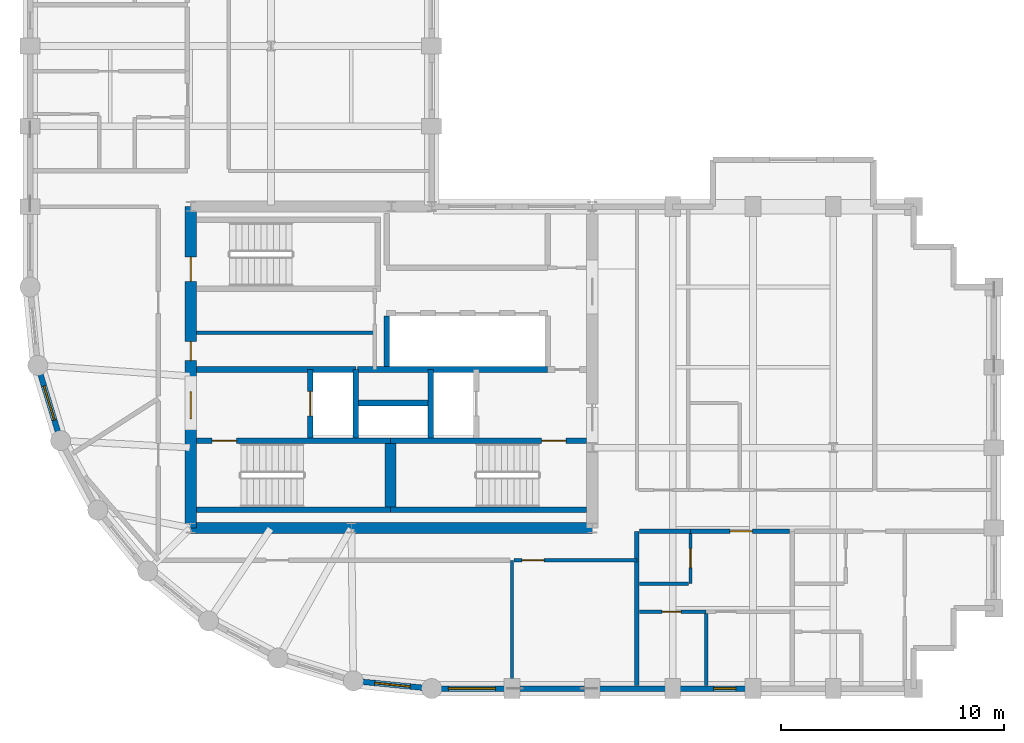
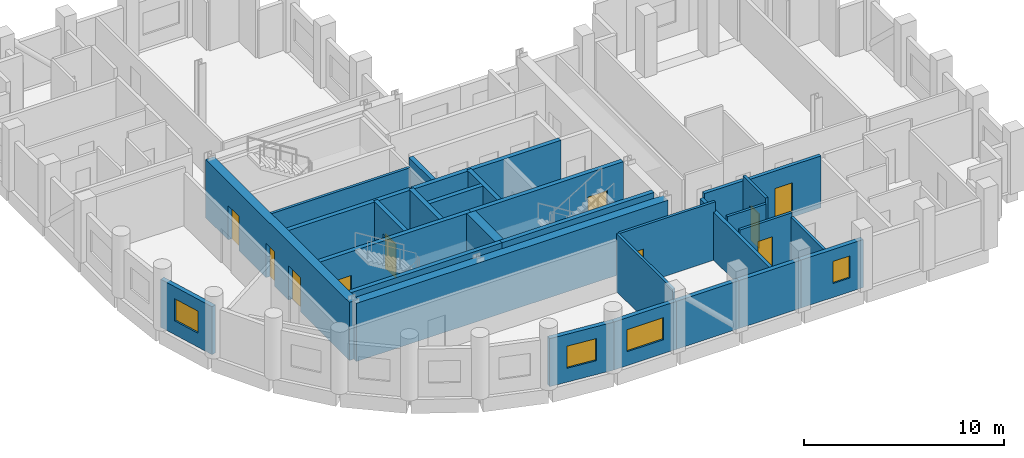
# One storey, part 3 of 8: 30 walls, 10 doors, 4 windows, 14 openings.
"""IFC4 building model written with IfcOpenShell, lengths in metres."""

import ifcopenshell
import ifcopenshell.guid

model = None  # the IFC model being written
_history = None  # IfcOwnerHistory: only IFC2X3 demands one
_inside = {}  # id of a spatial element -> (the spatial element, [elements in it])
_under = {}  # id of a project, library or spatial element -> (it, [spatial elements below it])
_declared = {}  # id of a project -> (the project, [libraries it declares])
_typed = {}  # id of a type object -> (the type object, [elements of that type])
_made_of = {}  # id of a material, layer set ... -> (it, [elements and type objects made of it])


def new_model(schema):
    """Start an empty IFC model of exactly this schema.

    Asked for "IFC4X3", IfcOpenShell would pick the latest addendum, in which some entities
    have other attributes; the version numbers below select the first issue.
    IFC2X3 requires an IfcOwnerHistory on every rooted entity: one is made here for all.
    """
    global model, _history
    if schema == "IFC4X3":
        model = ifcopenshell.file(schema_version=(4, 3, 0, 0))
    else:
        model = ifcopenshell.file(schema=schema)
    _inside.clear()
    _under.clear()
    _declared.clear()
    _typed.clear()
    _made_of.clear()
    _history = None
    if model.schema == "IFC2X3":
        org = make("IfcOrganization", Name="unknown")
        user = make(
            "IfcPersonAndOrganization",
            ThePerson=make("IfcPerson", FamilyName="unknown"),
            TheOrganization=org,
        )
        app = make(
            "IfcApplication",
            ApplicationDeveloper=org,
            Version="unknown",
            ApplicationFullName="unknown",
            ApplicationIdentifier="unknown",
        )
        _history = make(
            "IfcOwnerHistory",
            OwningUser=user,
            OwningApplication=app,
            ChangeAction="ADDED",
            CreationDate=0,
        )
    return model


def make(cls, **values):
    """One entity of the class cls with the attributes given. An attribute that is None is left unset."""
    return model.create_entity(
        cls, **{name: value for name, value in values.items() if value is not None}
    )


def rooted(cls, **values):
    """An entity with a GlobalId (a new one), such as an element, a storey or a relation."""
    return make(cls, GlobalId=ifcopenshell.guid.new(), OwnerHistory=_history, **values)


def si_unit(unit_type, name, prefix=None):
    """IfcSIUnit, for example si_unit("LENGTHUNIT", "METRE", prefix="MILLI")."""
    return make("IfcSIUnit", UnitType=unit_type, Prefix=prefix, Name=name)


def assignment(units):
    """IfcUnitAssignment: the units of a project."""
    return None if units is None else make("IfcUnitAssignment", Units=units)


def point(xyz):
    """IfcCartesianPoint."""
    return None if xyz is None else make("IfcCartesianPoint", Coordinates=xyz)


def direction(xyz):
    """IfcDirection."""
    return None if xyz is None else make("IfcDirection", DirectionRatios=xyz)


def frame(location, z_axis=None, x_axis=None):
    """IfcAxis2Placement3D, a coordinate frame: its origin and axes. An axis left out is left unset."""
    return make(
        "IfcAxis2Placement3D",
        Location=point(location),
        Axis=direction(z_axis),
        RefDirection=direction(x_axis),
    )


def frame_2d(location, x_axis=None):
    """IfcAxis2Placement2D, a coordinate frame in the plane: its origin and x axis."""
    return make(
        "IfcAxis2Placement2D", Location=point(location), RefDirection=direction(x_axis)
    )


def origin():
    """The frame at (0, 0, 0) with its axes left unset."""
    return frame((0.0, 0.0, 0.0))


def place(relative_to, where):
    """IfcLocalPlacement: puts the frame where relative to a parent placement (None: the world)."""
    return make(
        "IfcLocalPlacement", PlacementRelTo=relative_to, RelativePlacement=where
    )


def context(
    kind, dimensions, precision=None, world=None, true_north=None, identifier=None
):
    """IfcGeometricRepresentationContext, for example the 3D "Model" context."""
    return make(
        "IfcGeometricRepresentationContext",
        ContextIdentifier=identifier,
        ContextType=kind,
        CoordinateSpaceDimension=dimensions,
        Precision=precision,
        WorldCoordinateSystem=world,
        TrueNorth=true_north,
    )


def subcontext(parent, identifier, kind, view, scale=None):
    """IfcGeometricRepresentationSubContext, for example "Body" below "Model"."""
    return make(
        "IfcGeometricRepresentationSubContext",
        ContextIdentifier=identifier,
        ContextType=kind,
        ParentContext=parent,
        TargetScale=scale,
        TargetView=view,
    )


def project(units=None, contexts=None):
    """IfcProject with its units and contexts."""
    return rooted(
        "IfcProject",
        Name="project",
        RepresentationContexts=contexts,
        UnitsInContext=assignment(units),
    )


def spatial(cls, under=None, at=None, **own):
    """A site, building, storey or space (cls), placed at a placement, below another one or the project."""
    s = rooted(cls, ObjectPlacement=at, **own)
    if under is not None:
        _under.setdefault(under.id(), (under, []))[1].append(s)
    return s


def profile(cls, at=None, kind="AREA", **sizes):
    """A parametric profile (cls). Its sizes go by their IFC names, for example OverallWidth=200.0."""
    return make(cls, ProfileType=kind, Position=at, **sizes)


def rectangle(**sizes):
    """IfcRectangleProfileDef."""
    return profile("IfcRectangleProfileDef", **sizes)


def extrude(swept, where, along, depth):
    """IfcExtrudedAreaSolid: the profile swept, set in the frame where, extruded along a direction by depth."""
    return make(
        "IfcExtrudedAreaSolid",
        SweptArea=swept,
        Position=where,
        ExtrudedDirection=direction(along),
        Depth=depth,
    )


def shape(context_of_items, identifier, shape_type, items):
    """IfcShapeRepresentation: the items that make up one representation, for example the "Body"."""
    return make(
        "IfcShapeRepresentation",
        ContextOfItems=context_of_items,
        RepresentationIdentifier=identifier,
        RepresentationType=shape_type,
        Items=items,
    )


def material(Name=None, Category=None):
    """IfcMaterial."""
    return make("IfcMaterial", Name=Name, Category=Category)


def layer(
    of_material, thickness, ventilated=None, Name=None, Category=None, Priority=None
):
    """IfcMaterialLayer: one layer of a wall or slab, of a material (None: an air gap)."""
    return make(
        "IfcMaterialLayer",
        Material=of_material,
        LayerThickness=thickness,
        IsVentilated=ventilated,
        Name=Name,
        Category=Category,
        Priority=Priority,
    )


def layer_set(layers, Name=None):
    """IfcMaterialLayerSet."""
    return make("IfcMaterialLayerSet", MaterialLayers=layers, LayerSetName=Name)


def made_of(thing, what):
    """Note that an element or type object is made of a material, layer set ...; save() writes the relation."""
    if what is not None:
        _made_of.setdefault(what.id(), (what, []))[1].append(thing)
    return thing


def type_object(cls, material=None, **own):
    """A type object (cls), such as IfcWallType, which elements share."""
    return made_of(rooted(cls, **own), material)


def element(
    cls,
    number,
    at=None,
    inside=None,
    cuts=None,
    type_object=None,
    material=None,
    context=None,
    identifier="Body",
    shape_type=None,
    held_by="IfcProductDefinitionShape",
    body=None,
    shapes=None,
    **own,
):
    """One element of the class cls, such as IfcWall. Its Tag is "e" and its number.

    at: its placement. inside: the storey or other place that contains it. cuts: it is an
    opening in that element (IfcRelVoidsElement). A single representation is given by context,
    identifier, shape_type and body (its items); several are given by shapes. held_by: the class
    of the entity that holds the representations. save() writes the other relations.
    """
    e = rooted(cls, Tag="e%d" % number, ObjectPlacement=at, **own)
    if body is not None:
        shapes = [shape(context, identifier, shape_type, body)]
    if shapes is not None:
        e.Representation = make(held_by, Representations=shapes)
    if inside is not None:
        _inside.setdefault(inside.id(), (inside, []))[1].append(e)
    if cuts is not None:
        rooted(
            "IfcRelVoidsElement", RelatingBuildingElement=cuts, RelatedOpeningElement=e
        )
    if type_object is not None:
        _typed.setdefault(type_object.id(), (type_object, []))[1].append(e)
    return made_of(e, material)


def fill(opening, filler):
    """IfcRelFillsElement: the door or window that sits in an opening."""
    return rooted(
        "IfcRelFillsElement",
        RelatingOpeningElement=opening,
        RelatedBuildingElement=filler,
    )


def aggregate(whole, parts):
    """IfcRelAggregates: a whole, such as a stair, and the parts it consists of."""
    return rooted("IfcRelAggregates", RelatingObject=whole, RelatedObjects=parts)


def save(model, path):
    """Write the relations noted so far, then the file.

    IfcRelAggregates (storeys below a building ...), IfcRelContainedInSpatialStructure (elements
    in a storey), IfcRelDefinesByType, IfcRelAssociatesMaterial and IfcRelDeclares: one each for
    every whole, place, type object, material and project.
    """
    for whole, parts in _under.values():
        aggregate(whole, parts)
    for where, things in _inside.values():
        rooted(
            "IfcRelContainedInSpatialStructure",
            RelatedElements=things,
            RelatingStructure=where,
        )
    for kind, things in _typed.values():
        rooted("IfcRelDefinesByType", RelatedObjects=things, RelatingType=kind)
    for what, things in _made_of.values():
        rooted("IfcRelAssociatesMaterial", RelatedObjects=things, RelatingMaterial=what)
    for by, libraries in _declared.values():
        rooted("IfcRelDeclares", RelatingContext=by, RelatedDefinitions=libraries)
    model.write(path)


model = new_model("IFC4")

# Units and contexts
model_context = context("Model", 3, precision=1e-05, world=origin(), true_north=direction((0.0, 1.0)))
body_context = subcontext(model_context, "Body", "Model", "MODEL_VIEW")
ifc_project = project(units=[si_unit("LENGTHUNIT", "METRE"), si_unit("AREAUNIT", "SQUARE_METRE"), si_unit("VOLUMEUNIT", "CUBIC_METRE"), si_unit("PLANEANGLEUNIT", "RADIAN"), si_unit("MASSUNIT", "GRAM", prefix="KILO")], contexts=[model_context])

# Site, building, storey
site_placement = place(None, origin())
site = spatial("IfcSite", under=ifc_project, at=site_placement, CompositionType="ELEMENT")
building_placement = place(site_placement, origin())
building = spatial("IfcBuilding", under=site, at=building_placement, Name="Solnavia Interchange Tower", CompositionType="ELEMENT")
storey_placement = place(building_placement, frame((0.0, 0.0, 186.199951171875)))
storey = spatial("IfcBuildingStorey", under=building, at=storey_placement, Name="L46", CompositionType="ELEMENT", Elevation=186.199951171875)

# Walls
ifc_material_1 = material(Name="Gypsum Acoustic Twin-Stud & Mineral Wool", Category="gypsum")
ifc_layer_1 = layer(ifc_material_1, 0.199951171875)
ifc_layer_set_1 = layer_set([ifc_layer_1], Name="Gypsum Acoustic Twin-Stud & Mineral Wool")
wall_type_1 = type_object("IfcWallType", Name="Wall-ApartmentParty-200", PredefinedType="PARTITIONING", material=ifc_layer_set_1)
wall_1_placement = place(storey_placement, frame((34.39990234375, 3.72900390625, 0.0), z_axis=(0.0, 0.0, 1.0), x_axis=(0.0, 1.0, 0.0)))
element("IfcWall", 1, at=wall_1_placement, inside=storey, type_object=wall_type_1, Name="PTW-L46-15 Interior partition wall", PredefinedType="PARTITIONING", context=body_context, shape_type="SweptSolid", body=[
    extrude(rectangle(XDim=6.9208984375, YDim=0.199951171875, at=frame_2d((3.46044921875, 0.0))), origin(), (0.0, 0.0, 1.0), 2.929931640625),
])
wall_2_placement = place(storey_placement, frame((34.50390625, 10.64990234375, 0.0), z_axis=(0.0, 0.0, 1.0), x_axis=(1.0, 0.0, 0.0)))
element("IfcWall", 2, at=wall_2_placement, inside=storey, type_object=wall_type_1, Name="PTW-L46-17 Interior partition wall", PredefinedType="PARTITIONING", context=body_context, shape_type="SweptSolid", body=[
    extrude(rectangle(XDim=2.296142578125, YDim=0.199951171875, at=frame_2d((1.14794921875, 0.0))), origin(), (0.0, 0.0, 1.0), 3.219970703125),
])

# Wall, opening, door
wall_3_placement = place(storey_placement, frame((36.800048828125, 10.64990234375, 0.0), z_axis=(0.0, 0.0, 1.0), x_axis=(1.0, 0.0, 0.0)))
wall_3 = element("IfcWall", 3, at=wall_3_placement, inside=storey, type_object=wall_type_1, Name="PTW-L46-20 Interior partition wall", PredefinedType="PARTITIONING", context=body_context, shape_type="SweptSolid", body=[
    extrude(rectangle(XDim=4.446044921875, YDim=0.199951171875, at=frame_2d((2.22314453125, 0.0))), origin(), (0.0, 0.0, 1.0), 3.170166015625),
])
opening_1_placement = place(wall_3_placement, frame((1.77490234375, 0.0, 0.0)))
opening_1 = element("IfcOpeningElement", 4, at=opening_1_placement, cuts=wall_3, Name="Opening DR-06", PredefinedType="OPENING", context=body_context, shape_type="SweptSolid", body=[
    extrude(rectangle(XDim=1.0, YDim=2.10009765625, at=frame_2d((0.5, 1.050048828125))), frame((0.0, 0.10986328125, 0.0), z_axis=(0.0, -1.0, 0.0), x_axis=(1.0, 0.0, 0.0)), (0.0, 0.0, 1.0), 0.219970703125),
])
ifc_material_2 = material(Name="Engineered Timber Acoustic Fire Door", Category="wood")
door_type_1 = type_object("IfcDoorType", Name="Door-FlatEntry-1000x2100", OperationType="SINGLE_SWING_LEFT", PredefinedType="DOOR", material=ifc_material_2)
door_1_placement = place(opening_1_placement, origin())
door_1 = element("IfcDoor", 5, at=door_1_placement, inside=storey, type_object=door_type_1, Name="DR-L46-08 Interior room door", OperationType="SINGLE_SWING_LEFT", OverallHeight=2.10009765625, OverallWidth=1.0, PredefinedType="DOOR", context=body_context, shape_type="SweptSolid", body=[
    extrude(rectangle(XDim=1.0, YDim=2.10009765625, at=frame_2d((0.5, 1.050048828125))), frame((0.0, 0.02490234375, 0.0), z_axis=(0.0, -1.0, 0.0), x_axis=(1.0, 0.0, 0.0)), (0.0, 0.0, 1.0), 0.050048828125),
])
fill(opening_1, door_1)

# Wall, opening, window
ifc_material_3 = material(Name="Concrete C40/50", Category="concrete")
ifc_layer_2 = layer(ifc_material_3, 0.25)
ifc_layer_set_2 = layer_set([ifc_layer_2], Name="Concrete C40/50")
wall_type_2 = type_object("IfcWallType", Name="Wall-ExtSpandrel-250", PredefinedType="STANDARD", material=ifc_layer_set_2)
wall_4_placement = place(storey_placement, frame((28.800048828125, 3.60009765625, 0.0), z_axis=(0.0, 0.0, 1.0), x_axis=(-1.0, 0.0, 0.0)))
wall_4 = element("IfcWall", 6, at=wall_4_placement, inside=storey, type_object=wall_type_2, Name="EXW-L46-01 Exterior precast spandrel wall", PredefinedType="STANDARD", context=body_context, shape_type="SweptSolid", body=[
    extrude(rectangle(XDim=3.60009765625, YDim=0.25, at=frame_2d((1.800048828125, 0.0))), origin(), (0.0, 0.0, 1.0), 2.929931640625),
])
opening_2_placement = place(wall_4_placement, frame((0.75, 0.0, 0.85009765625)))
opening_2 = element("IfcOpeningElement", 7, at=opening_2_placement, cuts=wall_4, Name="Opening WIN-01", PredefinedType="OPENING", context=body_context, shape_type="SweptSolid", body=[
    extrude(rectangle(XDim=2.10009765625, YDim=1.35009765625, at=frame_2d((1.050048828125, 0.675048828125))), frame((0.0, 0.135009765625, 0.0), z_axis=(0.0, -1.0, 0.0), x_axis=(1.0, 0.0, 0.0)), (0.0, 0.0, 1.0), 0.27001953125),
])
ifc_material_4 = material(Name="Thermal-Break Aluminium & Low-E Glass", Category="aluminium")
window_type_1 = type_object("IfcWindowType", Name="Window-Ribbon-2100x1350", PartitioningType="SINGLE_PANEL", PredefinedType="WINDOW", material=ifc_material_4)
window_1_placement = place(opening_2_placement, origin())
window_1 = element("IfcWindow", 8, at=window_1_placement, inside=storey, type_object=window_type_1, Name="WIN-L46-01 Facade ribbon window", OverallHeight=1.35009765625, OverallWidth=2.10009765625, PartitioningType="SINGLE_PANEL", PredefinedType="WINDOW", context=body_context, shape_type="SweptSolid", body=[
    extrude(rectangle(XDim=2.10009765625, YDim=1.35009765625, at=frame_2d((1.050048828125, 0.675048828125))), frame((0.0, 0.030029296875, 0.0), z_axis=(0.0, -1.0, 0.0), x_axis=(1.0, 0.0, 0.0)), (0.0, 0.0, 1.0), 0.06005859375),
])
fill(opening_2, window_1)

# Walls
wall_5_placement = place(storey_placement, frame((32.39990234375, 3.60009765625, 0.0), z_axis=(0.0, 0.0, 1.0), x_axis=(-1.0, 0.0, 0.0)))
element("IfcWall", 9, at=wall_5_placement, inside=storey, type_object=wall_type_2, Name="EXW-L46-02 Exterior precast spandrel wall", PredefinedType="STANDARD", context=body_context, shape_type="SweptSolid", body=[
    extrude(rectangle(XDim=3.599853515625, YDim=0.25, at=frame_2d((1.7998046875, 0.0))), origin(), (0.0, 0.0, 1.0), 2.929931640625),
])
wall_6_placement = place(storey_placement, frame((36.0, 3.60009765625, 0.0), z_axis=(0.0, 0.0, 1.0), x_axis=(-1.0, 0.0, 0.0)))
element("IfcWall", 10, at=wall_6_placement, inside=storey, type_object=wall_type_2, Name="EXW-L46-03 Exterior precast spandrel wall", PredefinedType="STANDARD", context=body_context, shape_type="SweptSolid", body=[
    extrude(rectangle(XDim=3.60009765625, YDim=0.25, at=frame_2d((1.800048828125, 0.0))), origin(), (0.0, 0.0, 1.0), 2.929931640625),
])

# Wall, opening, window
wall_7_placement = place(storey_placement, frame((39.60009765625, 3.60009765625, 0.0), z_axis=(0.0, 0.0, 1.0), x_axis=(-1.0, 0.0, 0.0)))
wall_7 = element("IfcWall", 11, at=wall_7_placement, inside=storey, type_object=wall_type_2, Name="EXW-L46-04 Exterior precast spandrel wall", PredefinedType="STANDARD", context=body_context, shape_type="SweptSolid", body=[
    extrude(rectangle(XDim=3.60009765625, YDim=0.25, at=frame_2d((1.800048828125, 0.0))), origin(), (0.0, 0.0, 1.0), 2.929931640625),
])
opening_3_placement = place(wall_7_placement, frame((0.76904296875, 0.0, 0.85009765625)))
opening_3 = element("IfcOpeningElement", 12, at=opening_3_placement, cuts=wall_7, Name="Opening WIN-07", PredefinedType="OPENING", context=body_context, shape_type="SweptSolid", body=[
    extrude(rectangle(XDim=1.0, YDim=1.35009765625, at=frame_2d((0.5, 0.675048828125))), frame((0.0, 0.135009765625, 0.0), z_axis=(0.0, -1.0, 0.0), x_axis=(1.0, 0.0, 0.0)), (0.0, 0.0, 1.0), 0.27001953125),
])
window_type_2 = type_object("IfcWindowType", Name="Window-Bedroom-1000x1350", PartitioningType="SINGLE_PANEL", PredefinedType="WINDOW", material=ifc_material_4)
window_2_placement = place(opening_3_placement, origin())
window_2 = element("IfcWindow", 13, at=window_2_placement, inside=storey, type_object=window_type_2, Name="WIN-L46-DW01 Dwelling bedroom window", OverallHeight=1.35009765625, OverallWidth=1.0, PartitioningType="SINGLE_PANEL", PredefinedType="WINDOW", context=body_context, shape_type="SweptSolid", body=[
    extrude(rectangle(XDim=1.0, YDim=1.35009765625, at=frame_2d((0.5, 0.675048828125))), frame((0.0, 0.030029296875, 0.0), z_axis=(0.0, -1.0, 0.0), x_axis=(1.0, 0.0, 0.0)), (0.0, 0.0, 1.0), 0.06005859375),
])
fill(opening_3, window_2)

wall_8_placement = place(storey_placement, frame((8.570068359375, 14.7119140625, 0.0), z_axis=(0.0, 0.0, 1.0), x_axis=(-0.290305086481, 0.956934144423, 0.0)))
wall_8 = element("IfcWall", 14, at=wall_8_placement, inside=storey, type_object=wall_type_2, Name="EXW-L46-48 Exterior precast spandrel wall", PredefinedType="STANDARD", context=body_context, shape_type="SweptSolid", body=[
    extrude(rectangle(XDim=3.52783203125, YDim=0.25, at=frame_2d((1.763916015625, 0.0))), origin(), (0.0, 0.0, 1.0), 2.929931640625),
])
opening_4_placement = place(wall_8_placement, frame((0.964111328125, 0.0, 0.85009765625)))
opening_4 = element("IfcOpeningElement", 15, at=opening_4_placement, cuts=wall_8, Name="Opening WIN-04", PredefinedType="OPENING", context=body_context, shape_type="SweptSolid", body=[
    extrude(rectangle(XDim=1.60009765625, YDim=1.35009765625, at=frame_2d((0.800048828125, 0.675048828125))), frame((0.0, 0.135009765625, 0.0), z_axis=(0.0, -1.0, 0.0), x_axis=(1.0, 0.0, 0.0)), (0.0, 0.0, 1.0), 0.27001953125),
])
window_type_3 = type_object("IfcWindowType", Name="Window-Drum-1600x1350", PartitioningType="SINGLE_PANEL", PredefinedType="WINDOW", material=ifc_material_4)
window_3_placement = place(opening_4_placement, origin())
window_3 = element("IfcWindow", 16, at=window_3_placement, inside=storey, type_object=window_type_3, Name="WIN-L46-48 Facade ribbon window", OverallHeight=1.35009765625, OverallWidth=1.60009765625, PartitioningType="SINGLE_PANEL", PredefinedType="WINDOW", context=body_context, shape_type="SweptSolid", body=[
    extrude(rectangle(XDim=1.60009765625, YDim=1.35009765625, at=frame_2d((0.800048828125, 0.675048828125))), frame((0.0, 0.030029296875, 0.0), z_axis=(0.0, -1.0, 0.0), x_axis=(1.0, 0.0, 0.0)), (0.0, 0.0, 1.0), 0.06005859375),
])
fill(opening_4, window_3)

wall_9_placement = place(storey_placement, frame((25.199951171875, 3.60009765625, 0.0), z_axis=(0.0, 0.0, 1.0), x_axis=(-0.995183369056, 0.098030923459, 0.0)))
wall_9 = element("IfcWall", 17, at=wall_9_placement, inside=storey, type_object=wall_type_2, Name="EXW-L46-54 Exterior precast spandrel wall", PredefinedType="STANDARD", context=body_context, shape_type="SweptSolid", body=[
    extrude(rectangle(XDim=3.529052734375, YDim=0.25, at=frame_2d((1.7646484375, 0.0))), origin(), (0.0, 0.0, 1.0), 2.929931640625),
])
opening_5_placement = place(wall_9_placement, frame((0.965087890625, 0.0, 0.85009765625)))
opening_5 = element("IfcOpeningElement", 18, at=opening_5_placement, cuts=wall_9, Name="Opening WIN-04", PredefinedType="OPENING", context=body_context, shape_type="SweptSolid", body=[
    extrude(rectangle(XDim=1.60009765625, YDim=1.35009765625, at=frame_2d((0.800048828125, 0.675048828125))), frame((0.0, 0.135009765625, 0.0), z_axis=(0.0, -1.0, 0.0), x_axis=(1.0, 0.0, 0.0)), (0.0, 0.0, 1.0), 0.27001953125),
])
window_4_placement = place(opening_5_placement, origin())
window_4 = element("IfcWindow", 19, at=window_4_placement, inside=storey, type_object=window_type_3, Name="WIN-L46-54 Facade ribbon window", OverallHeight=1.35009765625, OverallWidth=1.60009765625, PartitioningType="SINGLE_PANEL", PredefinedType="WINDOW", context=body_context, shape_type="SweptSolid", body=[
    extrude(rectangle(XDim=1.60009765625, YDim=1.35009765625, at=frame_2d((0.800048828125, 0.675048828125))), frame((0.0, 0.030029296875, 0.0), z_axis=(0.0, -1.0, 0.0), x_axis=(1.0, 0.0, 0.0)), (0.0, 0.0, 1.0), 0.06005859375),
])
fill(opening_5, window_4)

# Walls
ifc_material_5 = material(Name="Gypsum Plasterboard & Steel Stud", Category="steel")
ifc_layer_3 = layer(ifc_material_5, 0.14990234375)
ifc_layer_set_3 = layer_set([ifc_layer_3], Name="Gypsum Plasterboard & Steel Stud")
wall_type_3 = type_object("IfcWallType", Name="Wall-Partition-150", PredefinedType="PARTITIONING", material=ifc_layer_set_3)
wall_10_placement = place(storey_placement, frame((14.64990234375, 19.550048828125, 0.0), z_axis=(0.0, 0.0, 1.0), x_axis=(1.0, 0.0, 0.0)))
element("IfcWall", 20, at=wall_10_placement, inside=storey, type_object=wall_type_3, Name="CSW-L46-H1 Core shaft wall", PredefinedType="PARTITIONING", context=body_context, shape_type="SweptSolid", body=[
    extrude(rectangle(XDim=8.0, YDim=0.14990234375, at=frame_2d((4.0, 0.0))), origin(), (0.0, 0.0, 1.0), 3.53515625),
])
wall_11_placement = place(storey_placement, frame((28.800048828125, 9.35009765625, 0.0), z_axis=(0.0, 0.0, 1.0), x_axis=(0.0, -1.0, 0.0)))
element("IfcWall", 21, at=wall_11_placement, inside=storey, type_object=wall_type_3, Name="PTW-L46-08 Interior partition wall", PredefinedType="PARTITIONING", context=body_context, shape_type="SweptSolid", body=[
    extrude(rectangle(XDim=5.62109375, YDim=0.14990234375, at=frame_2d((2.810546875, 0.0))), origin(), (0.0, 0.0, 1.0), 3.53515625),
])

# Wall, opening, door
wall_12_placement = place(storey_placement, frame((28.87890625, 9.35009765625, 0.0), z_axis=(0.0, 0.0, 1.0), x_axis=(1.0, 0.0, 0.0)))
wall_12 = element("IfcWall", 22, at=wall_12_placement, inside=storey, type_object=wall_type_3, Name="PTW-L46-14 Interior partition wall", PredefinedType="PARTITIONING", context=body_context, shape_type="SweptSolid", body=[
    extrude(rectangle(XDim=5.52099609375, YDim=0.14990234375, at=frame_2d((2.760498046875, 0.0))), origin(), (0.0, 0.0, 1.0), 3.53515625),
])
opening_6_placement = place(wall_12_placement, frame((0.360107421875, 0.0, 0.0)))
opening_6 = element("IfcOpeningElement", 23, at=opening_6_placement, cuts=wall_12, Name="Opening DR-07", PredefinedType="OPENING", context=body_context, shape_type="SweptSolid", body=[
    extrude(rectangle(XDim=1.0, YDim=2.10009765625, at=frame_2d((0.5, 1.050048828125))), frame((0.0, 0.0849609375, 0.0), z_axis=(0.0, -1.0, 0.0), x_axis=(1.0, 0.0, 0.0)), (0.0, 0.0, 1.0), 0.169921875),
])
ifc_material_6 = material(Name="Timber & Acoustic Glazed Office Door", Category="wood")
door_type_2 = type_object("IfcDoorType", Name="Door-Office-1000x2100", OperationType="SINGLE_SWING_RIGHT", PredefinedType="DOOR", material=ifc_material_6)
door_2_placement = place(opening_6_placement, origin())
door_2 = element("IfcDoor", 24, at=door_2_placement, inside=storey, type_object=door_type_2, Name="DR-L46-06 Interior room door", OperationType="SINGLE_SWING_LEFT", OverallHeight=2.10009765625, OverallWidth=1.0, PredefinedType="DOOR", context=body_context, shape_type="SweptSolid", body=[
    extrude(rectangle(XDim=1.0, YDim=2.10009765625, at=frame_2d((0.5, 1.050048828125))), frame((0.0, 0.02490234375, 0.0), z_axis=(0.0, -1.0, 0.0), x_axis=(1.0, 0.0, 0.0)), (0.0, 0.0, 1.0), 0.050048828125),
])
fill(opening_6, door_2)

# Wall
ifc_layer_4 = layer(ifc_material_3, 0.25)
ifc_layer_set_4 = layer_set([ifc_layer_4], Name="Concrete C40/50")
wall_type_4 = type_object("IfcWallType", Name="Wall-ShaftCore-250", PredefinedType="SHEAR", material=ifc_layer_set_4)
wall_13_placement = place(storey_placement, frame((14.64990234375, 11.625, 0.0), z_axis=(0.0, 0.0, 1.0), x_axis=(1.0, 0.0, 0.0)))
element("IfcWall", 25, at=wall_13_placement, inside=storey, type_object=wall_type_4, Name="SHW-L46-ST1S Core shear wall", PredefinedType="SHEAR", context=body_context, shape_type="SweptSolid", body=[
    extrude(rectangle(XDim=8.7001953125, YDim=0.25, at=frame_2d((4.35009765625, 0.0))), origin(), (0.0, 0.0, 1.0), 3.550048828125),
])

# Wall, opening, door
wall_14_placement = place(storey_placement, frame((14.64990234375, 14.715087890625, 0.0), z_axis=(0.0, 0.0, 1.0), x_axis=(1.0, 0.0, 0.0)))
wall_14 = element("IfcWall", 26, at=wall_14_placement, inside=storey, type_object=wall_type_4, Name="SHW-L46-ST1N Core shear wall", PredefinedType="SHEAR", context=body_context, shape_type="SweptSolid", body=[
    extrude(rectangle(XDim=8.7001953125, YDim=0.25, at=frame_2d((4.35009765625, 0.0))), origin(), (0.0, 0.0, 1.0), 3.550048828125),
])
opening_7_placement = place(wall_14_placement, frame((0.705078125, 0.0, 0.0)))
opening_7 = element("IfcOpeningElement", 27, at=opening_7_placement, cuts=wall_14, Name="Opening DR-01", PredefinedType="OPENING", context=body_context, shape_type="SweptSolid", body=[
    extrude(rectangle(XDim=1.10009765625, YDim=2.10009765625, at=frame_2d((0.550048828125, 1.050048828125))), frame((0.0, 0.135009765625, 0.0), z_axis=(0.0, -1.0, 0.0), x_axis=(1.0, 0.0, 0.0)), (0.0, 0.0, 1.0), 0.27001953125),
])
ifc_material_7 = material(Name="Steel Fire-Rated Leaf & Frame", Category="steel")
door_type_3 = type_object("IfcDoorType", Name="Door-StairFire-1100x2100", OperationType="SINGLE_SWING_LEFT", PredefinedType="DOOR", material=ifc_material_7)
door_3_placement = place(opening_7_placement, origin())
door_3 = element("IfcDoor", 28, at=door_3_placement, inside=storey, type_object=door_type_3, Name="DR-L46-ST1 Core fire door", OperationType="SINGLE_SWING_LEFT", OverallHeight=2.10009765625, OverallWidth=1.10009765625, PredefinedType="DOOR", context=body_context, shape_type="SweptSolid", body=[
    extrude(rectangle(XDim=1.10009765625, YDim=2.10009765625, at=frame_2d((0.550048828125, 1.050048828125))), frame((0.0, 0.02490234375, 0.0), z_axis=(0.0, -1.0, 0.0), x_axis=(1.0, 0.0, 0.0)), (0.0, 0.0, 1.0), 0.050048828125),
])
fill(opening_7, door_3)

# Wall
wall_15_placement = place(storey_placement, frame((23.35009765625, 11.625, 0.0), z_axis=(0.0, 0.0, 1.0), x_axis=(1.0, 0.0, 0.0)))
element("IfcWall", 29, at=wall_15_placement, inside=storey, type_object=wall_type_4, Name="SHW-L46-ST2S Core shear wall", PredefinedType="SHEAR", context=body_context, shape_type="SweptSolid", body=[
    extrude(rectangle(XDim=8.7998046875, YDim=0.25, at=frame_2d((4.39990234375, 0.0))), origin(), (0.0, 0.0, 1.0), 3.550048828125),
])

# Wall, opening, door
wall_16_placement = place(storey_placement, frame((23.35009765625, 14.715087890625, 0.0), z_axis=(0.0, 0.0, 1.0), x_axis=(1.0, 0.0, 0.0)))
wall_16 = element("IfcWall", 30, at=wall_16_placement, inside=storey, type_object=wall_type_4, Name="SHW-L46-ST2N Core shear wall", PredefinedType="SHEAR", context=body_context, shape_type="SweptSolid", body=[
    extrude(rectangle(XDim=8.7998046875, YDim=0.25, at=frame_2d((4.39990234375, 0.0))), origin(), (0.0, 0.0, 1.0), 3.550048828125),
])
opening_8_placement = place(wall_16_placement, frame((6.77490234375, 0.0, 0.0)))
opening_8 = element("IfcOpeningElement", 31, at=opening_8_placement, cuts=wall_16, Name="Opening DR-01", PredefinedType="OPENING", context=body_context, shape_type="SweptSolid", body=[
    extrude(rectangle(XDim=1.10009765625, YDim=2.10009765625, at=frame_2d((0.550048828125, 1.050048828125))), frame((0.0, 0.135009765625, 0.0), z_axis=(0.0, -1.0, 0.0), x_axis=(1.0, 0.0, 0.0)), (0.0, 0.0, 1.0), 0.27001953125),
])
door_4_placement = place(opening_8_placement, origin())
door_4 = element("IfcDoor", 32, at=door_4_placement, inside=storey, type_object=door_type_3, Name="DR-L46-ST2 Core fire door", OperationType="SINGLE_SWING_LEFT", OverallHeight=2.10009765625, OverallWidth=1.10009765625, PredefinedType="DOOR", context=body_context, shape_type="SweptSolid", body=[
    extrude(rectangle(XDim=1.10009765625, YDim=2.10009765625, at=frame_2d((0.550048828125, 1.050048828125))), frame((0.0, 0.02490234375, 0.0), z_axis=(0.0, -1.0, 0.0), x_axis=(1.0, 0.0, 0.0)), (0.0, 0.0, 1.0), 0.050048828125),
])
fill(opening_8, door_4)

# Wall
ifc_layer_5 = layer(ifc_material_3, 0.25)
ifc_layer_set_5 = layer_set([ifc_layer_5], Name="Concrete C40/50")
wall_type_5 = type_object("IfcWallType", Name="Wall-ShaftPart-250", PredefinedType="PARTITIONING", material=ifc_layer_set_5)
wall_17_placement = place(storey_placement, frame((14.64990234375, 17.89990234375, 0.0), z_axis=(0.0, 0.0, 1.0), x_axis=(1.0, 0.0, 0.0)))
element("IfcWall", 33, at=wall_17_placement, inside=storey, type_object=wall_type_5, Name="SHW-L46-FFLW-N Core shaft wall", PredefinedType="PARTITIONING", context=body_context, shape_type="SweptSolid", body=[
    extrude(rectangle(XDim=7.150146484375, YDim=0.25, at=frame_2d((3.5751953125, 0.0))), origin(), (0.0, 0.0, 1.0), 3.53515625),
])

# Wall, opening, door
wall_18_placement = place(storey_placement, frame((19.75, 14.840087890625, 0.0), z_axis=(0.0, 0.0, 1.0), x_axis=(0.0, 1.0, 0.0)))
wall_18 = element("IfcWall", 34, at=wall_18_placement, inside=storey, type_object=wall_type_5, Name="SHW-L46-FFL1-W Core shaft wall", PredefinedType="PARTITIONING", context=body_context, shape_type="SweptSolid", body=[
    extrude(rectangle(XDim=3.059814453125, YDim=0.25, at=frame_2d((1.52978515625, 0.0))), origin(), (0.0, 0.0, 1.0), 3.53515625),
])
opening_9_placement = place(wall_18_placement, frame((0.97998046875, 0.0, 0.0)))
opening_9 = element("IfcOpeningElement", 35, at=opening_9_placement, cuts=wall_18, Name="Opening LD-01", PredefinedType="OPENING", context=body_context, shape_type="SweptSolid", body=[
    extrude(rectangle(XDim=1.10009765625, YDim=2.10009765625, at=frame_2d((0.550048828125, 1.050048828125))), frame((0.0, 0.135009765625, 0.0), z_axis=(0.0, -1.0, 0.0), x_axis=(1.0, 0.0, 0.0)), (0.0, 0.0, 1.0), 0.27001953125),
])
ifc_material_8 = material(Name="Brushed Stainless Steel Sliding Door", Category="steel")
door_type_4 = type_object("IfcDoorType", Name="Door-LiftLanding-1100x2100", OperationType="SLIDING_TO_LEFT", PredefinedType="DOOR", material=ifc_material_8)
door_5_placement = place(opening_9_placement, origin())
door_5 = element("IfcDoor", 36, at=door_5_placement, inside=storey, type_object=door_type_4, Name="LD-L46-FFL1 Lift landing sliding door", OperationType="SLIDING_TO_LEFT", OverallHeight=2.10009765625, OverallWidth=1.10009765625, PredefinedType="DOOR", context=body_context, shape_type="SweptSolid", body=[
    extrude(rectangle(XDim=1.10009765625, YDim=2.10009765625, at=frame_2d((0.550048828125, 1.050048828125))), frame((0.0, 0.02490234375, 0.0), z_axis=(0.0, -1.0, 0.0), x_axis=(1.0, 0.0, 0.0)), (0.0, 0.0, 1.0), 0.050048828125),
])
fill(opening_9, door_5)

# Walls
wall_19_placement = place(storey_placement, frame((21.800048828125, 14.840087890625, 0.0), z_axis=(0.0, 0.0, 1.0), x_axis=(0.0, 1.0, 0.0)))
element("IfcWall", 37, at=wall_19_placement, inside=storey, type_object=wall_type_5, Name="SHW-L46-FFL1-E Core shaft wall", PredefinedType="PARTITIONING", context=body_context, shape_type="SweptSolid", body=[
    extrude(rectangle(XDim=3.059814453125, YDim=0.25, at=frame_2d((1.52978515625, 0.0))), origin(), (0.0, 0.0, 1.0), 3.53515625),
])
wall_20_placement = place(storey_placement, frame((21.8798828125, 17.89990234375, 0.0), z_axis=(0.0, 0.0, 1.0), x_axis=(1.0, 0.0, 0.0)))
element("IfcWall", 38, at=wall_20_placement, inside=storey, type_object=wall_type_5, Name="SHW-L46-FFLE-N1 Core shaft wall", PredefinedType="PARTITIONING", context=body_context, shape_type="SweptSolid", body=[
    extrude(rectangle(XDim=8.52001953125, YDim=0.25, at=frame_2d((4.260009765625, 0.0))), origin(), (0.0, 0.0, 1.0), 3.53515625),
])
wall_21_placement = place(storey_placement, frame((25.14990234375, 14.840087890625, 0.0), z_axis=(0.0, 0.0, 1.0), x_axis=(0.0, 1.0, 0.0)))
element("IfcWall", 39, at=wall_21_placement, inside=storey, type_object=wall_type_5, Name="SHW-L46-FFL2-W Core shaft wall", PredefinedType="PARTITIONING", context=body_context, shape_type="SweptSolid", body=[
    extrude(rectangle(XDim=3.059814453125, YDim=0.25, at=frame_2d((1.52978515625, 0.0))), origin(), (0.0, 0.0, 1.0), 3.53515625),
])
wall_22_placement = place(storey_placement, frame((21.800048828125, 16.39990234375, 0.0), z_axis=(0.0, 0.0, 1.0), x_axis=(1.0, 0.0, 0.0)))
element("IfcWall", 40, at=wall_22_placement, inside=storey, type_object=wall_type_5, Name="SHW-L46-MEP-N Core shaft wall", PredefinedType="PARTITIONING", context=body_context, shape_type="SweptSolid", body=[
    extrude(rectangle(XDim=3.349853515625, YDim=0.25, at=frame_2d((1.6748046875, 0.0))), origin(), (0.0, 0.0, 1.0), 3.53515625),
])
wall_23_placement = place(storey_placement, frame((23.179931640625, 18.02490234375, 0.0), z_axis=(0.0, 0.0, 1.0), x_axis=(0.0, 1.0, 0.0)))
element("IfcWall", 41, at=wall_23_placement, inside=storey, type_object=wall_type_5, Name="SHW-L46-B2W Core shaft wall", PredefinedType="PARTITIONING", context=body_context, shape_type="SweptSolid", body=[
    extrude(rectangle(XDim=2.27001953125, YDim=0.25, at=frame_2d((1.135009765625, 0.0))), origin(), (0.0, 0.0, 1.0), 3.53515625),
])
ifc_material_9 = material(Name="Concrete C60/75", Category="concrete")
ifc_layer_6 = layer(ifc_material_9, 0.5)
ifc_layer_set_6 = layer_set([ifc_layer_6], Name="Concrete C60/75")
wall_type_6 = type_object("IfcWallType", Name="Wall-ShearCore-500", PredefinedType="SHEAR", material=ifc_layer_set_6)
wall_24_placement = place(storey_placement, frame((14.39990234375, 10.800048828125, 0.0), z_axis=(0.0, 0.0, 1.0), x_axis=(1.0, 0.0, 0.0)))
element("IfcWall", 42, at=wall_24_placement, inside=storey, type_object=wall_type_6, Name="CRW-L46-S Core shear wall", PredefinedType="SHEAR", context=body_context, shape_type="SweptSolid", body=[
    extrude(rectangle(XDim=18.0, YDim=0.5, at=frame_2d((9.0, 0.0))), origin(), (0.0, 0.0, 1.0), 3.550048828125),
])

# Wall, openings, doors
wall_25_placement = place(storey_placement, frame((14.39990234375, 10.800048828125, 0.0), z_axis=(0.0, 0.0, 1.0), x_axis=(0.0, 1.0, 0.0)))
wall_25 = element("IfcWall", 43, at=wall_25_placement, inside=storey, type_object=wall_type_6, Name="CRW-L46-W Core shear wall", PredefinedType="SHEAR", context=body_context, shape_type="SweptSolid", body=[
    extrude(rectangle(XDim=14.39990234375, YDim=0.5, at=frame_2d((7.199951171875, 0.0))), origin(), (0.0, 0.0, 1.0), 3.550048828125),
])
opening_10_placement = place(wall_25_placement, frame((11.050048828125, 0.0, 0.0)))
opening_10 = element("IfcOpeningElement", 44, at=opening_10_placement, cuts=wall_25, Name="Opening DR-01", PredefinedType="OPENING", context=body_context, shape_type="SweptSolid", body=[
    extrude(rectangle(XDim=1.10009765625, YDim=2.10009765625, at=frame_2d((0.550048828125, 1.050048828125))), frame((0.0, 0.260009765625, 0.0), z_axis=(0.0, -1.0, 0.0), x_axis=(1.0, 0.0, 0.0)), (0.0, 0.0, 1.0), 0.52001953125),
])
opening_11_placement = place(wall_25_placement, frame((4.89990234375, 0.0, 0.0)))
opening_11 = element("IfcOpeningElement", 45, at=opening_11_placement, cuts=wall_25, Name="Opening DR-02", PredefinedType="OPENING", context=body_context, shape_type="SweptSolid", body=[
    extrude(rectangle(XDim=1.199951171875, YDim=2.10009765625, at=frame_2d((0.60009765625, 1.050048828125))), frame((0.0, 0.260009765625, 0.0), z_axis=(0.0, -1.0, 0.0), x_axis=(1.0, 0.0, 0.0)), (0.0, 0.0, 1.0), 0.52001953125),
])
opening_12_placement = place(wall_25_placement, frame((7.5, 0.0, 0.0)))
opening_12 = element("IfcOpeningElement", 46, at=opening_12_placement, cuts=wall_25, Name="Opening DR-10", PredefinedType="OPENING", context=body_context, shape_type="SweptSolid", body=[
    extrude(rectangle(XDim=0.85009765625, YDim=2.10009765625, at=frame_2d((0.425048828125, 1.050048828125))), frame((0.0, 0.260009765625, 0.0), z_axis=(0.0, -1.0, 0.0), x_axis=(1.0, 0.0, 0.0)), (0.0, 0.0, 1.0), 0.52001953125),
])
ifc_material_10 = material(Name="Moisture-Resistant Timber Door", Category="wood")
door_type_5 = type_object("IfcDoorType", Name="Door-Bathroom-850x2100", OperationType="SINGLE_SWING_RIGHT", PredefinedType="DOOR", material=ifc_material_10)
door_6_placement = place(opening_12_placement, origin())
door_6 = element("IfcDoor", 47, at=door_6_placement, inside=storey, type_object=door_type_5, Name="DR-L46-CS1 Core fire door", OperationType="SINGLE_SWING_RIGHT", OverallHeight=2.10009765625, OverallWidth=0.85009765625, PredefinedType="DOOR", context=body_context, shape_type="SweptSolid", body=[
    extrude(rectangle(XDim=0.85009765625, YDim=2.10009765625, at=frame_2d((0.425048828125, 1.050048828125))), frame((0.0, 0.02490234375, 0.0), z_axis=(0.0, -1.0, 0.0), x_axis=(1.0, 0.0, 0.0)), (0.0, 0.0, 1.0), 0.050048828125),
])
fill(opening_12, door_6)
ifc_material_11 = material(Name="Steel Fire-Rated Vision-Panel Door", Category="steel")
door_type_6 = type_object("IfcDoorType", Name="Door-LobbyFire-1200x2100", OperationType="SINGLE_SWING_RIGHT", PredefinedType="DOOR", material=ifc_material_11)
door_7_placement = place(opening_11_placement, origin())
door_7 = element("IfcDoor", 48, at=door_7_placement, inside=storey, type_object=door_type_6, Name="DR-L46-FFL1W Core fire door", OperationType="SINGLE_SWING_RIGHT", OverallHeight=2.10009765625, OverallWidth=1.199951171875, PredefinedType="DOOR", context=body_context, shape_type="SweptSolid", body=[
    extrude(rectangle(XDim=1.199951171875, YDim=2.10009765625, at=frame_2d((0.60009765625, 1.050048828125))), frame((0.0, 0.02490234375, 0.0), z_axis=(0.0, -1.0, 0.0), x_axis=(1.0, 0.0, 0.0)), (0.0, 0.0, 1.0), 0.050048828125),
])
fill(opening_11, door_7)
door_8_placement = place(opening_10_placement, origin())
door_8 = element("IfcDoor", 49, at=door_8_placement, inside=storey, type_object=door_type_3, Name="DR-L46-ST3 Core fire door", OperationType="SINGLE_SWING_RIGHT", OverallHeight=2.10009765625, OverallWidth=1.10009765625, PredefinedType="DOOR", context=body_context, shape_type="SweptSolid", body=[
    extrude(rectangle(XDim=1.10009765625, YDim=2.10009765625, at=frame_2d((0.550048828125, 1.050048828125))), frame((0.0, 0.02490234375, 0.0), z_axis=(0.0, -1.0, 0.0), x_axis=(1.0, 0.0, 0.0)), (0.0, 0.0, 1.0), 0.050048828125),
])
fill(opening_10, door_8)

# Wall
wall_26_placement = place(storey_placement, frame((23.35009765625, 11.75, 0.0), z_axis=(0.0, 0.0, 1.0), x_axis=(0.0, 1.0, 0.0)))
element("IfcWall", 50, at=wall_26_placement, inside=storey, type_object=wall_type_6, Name="SHW-L46-ST12M Core shear wall", PredefinedType="SHEAR", context=body_context, shape_type="SweptSolid", body=[
    extrude(rectangle(XDim=2.840087890625, YDim=0.5, at=frame_2d((1.419921875, 0.0))), origin(), (0.0, 0.0, 1.0), 3.550048828125),
])

# Wall, opening, door
ifc_material_12 = material(Name="Moisture-Resistant Gypsum & Steel Stud", Category="steel")
ifc_layer_7 = layer(ifc_material_12, 0.14990234375)
ifc_layer_set_7 = layer_set([ifc_layer_7], Name="Moisture-Resistant Gypsum & Steel Stud")
wall_type_7 = type_object("IfcWallType", Name="Wall-WetRoom-150", PredefinedType="PARTITIONING", material=ifc_layer_set_7)
wall_27_placement = place(storey_placement, frame((36.800048828125, 8.300048828125, 0.0), z_axis=(0.0, 0.0, 1.0), x_axis=(0.0, 1.0, 0.0)))
wall_27 = element("IfcWall", 51, at=wall_27_placement, inside=storey, type_object=wall_type_7, Name="PTW-L46-18 Interior partition wall", PredefinedType="PARTITIONING", context=body_context, shape_type="SweptSolid", body=[
    extrude(rectangle(XDim=2.245849609375, YDim=0.14990234375, at=frame_2d((1.123046875, 0.0))), origin(), (0.0, 0.0, 1.0), 3.53515625),
])
opening_13_placement = place(wall_27_placement, frame((0.719970703125, 0.0, 0.0)))
opening_13 = element("IfcOpeningElement", 52, at=opening_13_placement, cuts=wall_27, Name="Opening DR-10", PredefinedType="OPENING", context=body_context, shape_type="SweptSolid", body=[
    extrude(rectangle(XDim=0.85009765625, YDim=2.10009765625, at=frame_2d((0.425048828125, 1.050048828125))), frame((0.0, 0.0849609375, 0.0), z_axis=(0.0, -1.0, 0.0), x_axis=(1.0, 0.0, 0.0)), (0.0, 0.0, 1.0), 0.169921875),
])
door_9_placement = place(opening_13_placement, origin())
door_9 = element("IfcDoor", 53, at=door_9_placement, inside=storey, type_object=door_type_5, Name="DR-L46-07 Interior room door", OperationType="SINGLE_SWING_RIGHT", OverallHeight=2.10009765625, OverallWidth=0.85009765625, PredefinedType="DOOR", context=body_context, shape_type="SweptSolid", body=[
    extrude(rectangle(XDim=0.85009765625, YDim=2.10009765625, at=frame_2d((0.425048828125, 1.050048828125))), frame((0.0, 0.02490234375, 0.0), z_axis=(0.0, -1.0, 0.0), x_axis=(1.0, 0.0, 0.0)), (0.0, 0.0, 1.0), 0.050048828125),
])
fill(opening_13, door_9)

# Wall
wall_28_placement = place(storey_placement, frame((34.50390625, 8.300048828125, 0.0), z_axis=(0.0, 0.0, 1.0), x_axis=(1.0, 0.0, 0.0)))
element("IfcWall", 54, at=wall_28_placement, inside=storey, type_object=wall_type_7, Name="PTW-L46-19 Interior partition wall", PredefinedType="PARTITIONING", context=body_context, shape_type="SweptSolid", body=[
    extrude(rectangle(XDim=2.217041015625, YDim=0.14990234375, at=frame_2d((1.1083984375, 0.0))), origin(), (0.0, 0.0, 1.0), 3.219970703125),
])

# Wall, opening, door
wall_29_placement = place(storey_placement, frame((34.50390625, 7.050048828125, 0.0), z_axis=(0.0, 0.0, 1.0), x_axis=(1.0, 0.0, 0.0)))
wall_29 = element("IfcWall", 55, at=wall_29_placement, inside=storey, type_object=wall_type_7, Name="PTW-L46-22 Interior partition wall", PredefinedType="PARTITIONING", context=body_context, shape_type="SweptSolid", body=[
    extrude(rectangle(XDim=2.99609375, YDim=0.14990234375, at=frame_2d((1.498046875, 0.0))), origin(), (0.0, 0.0, 1.0), 3.170166015625),
])
opening_14_placement = place(wall_29_placement, frame((1.02099609375, 0.0, 0.0)))
opening_14 = element("IfcOpeningElement", 56, at=opening_14_placement, cuts=wall_29, Name="Opening DR-10", PredefinedType="OPENING", context=body_context, shape_type="SweptSolid", body=[
    extrude(rectangle(XDim=0.85009765625, YDim=2.10009765625, at=frame_2d((0.425048828125, 1.050048828125))), frame((0.0, 0.0849609375, 0.0), z_axis=(0.0, -1.0, 0.0), x_axis=(1.0, 0.0, 0.0)), (0.0, 0.0, 1.0), 0.169921875),
])
door_10_placement = place(opening_14_placement, origin())
door_10 = element("IfcDoor", 57, at=door_10_placement, inside=storey, type_object=door_type_5, Name="DR-L46-10 Interior room door", OperationType="SINGLE_SWING_LEFT", OverallHeight=2.10009765625, OverallWidth=0.85009765625, PredefinedType="DOOR", context=body_context, shape_type="SweptSolid", body=[
    extrude(rectangle(XDim=0.85009765625, YDim=2.10009765625, at=frame_2d((0.425048828125, 1.050048828125))), frame((0.0, 0.02490234375, 0.0), z_axis=(0.0, -1.0, 0.0), x_axis=(1.0, 0.0, 0.0)), (0.0, 0.0, 1.0), 0.050048828125),
])
fill(opening_14, door_10)

# Wall
wall_30_placement = place(storey_placement, frame((37.5, 3.72900390625, 0.0), z_axis=(0.0, 0.0, 1.0), x_axis=(0.0, 1.0, 0.0)))
element("IfcWall", 58, at=wall_30_placement, inside=storey, type_object=wall_type_7, Name="PTW-L46-23 Interior partition wall", PredefinedType="PARTITIONING", context=body_context, shape_type="SweptSolid", body=[
    extrude(rectangle(XDim=3.241943359375, YDim=0.14990234375, at=frame_2d((1.62109375, 0.0))), origin(), (0.0, 0.0, 1.0), 2.929931640625),
])

save(model, "model.ifc")
